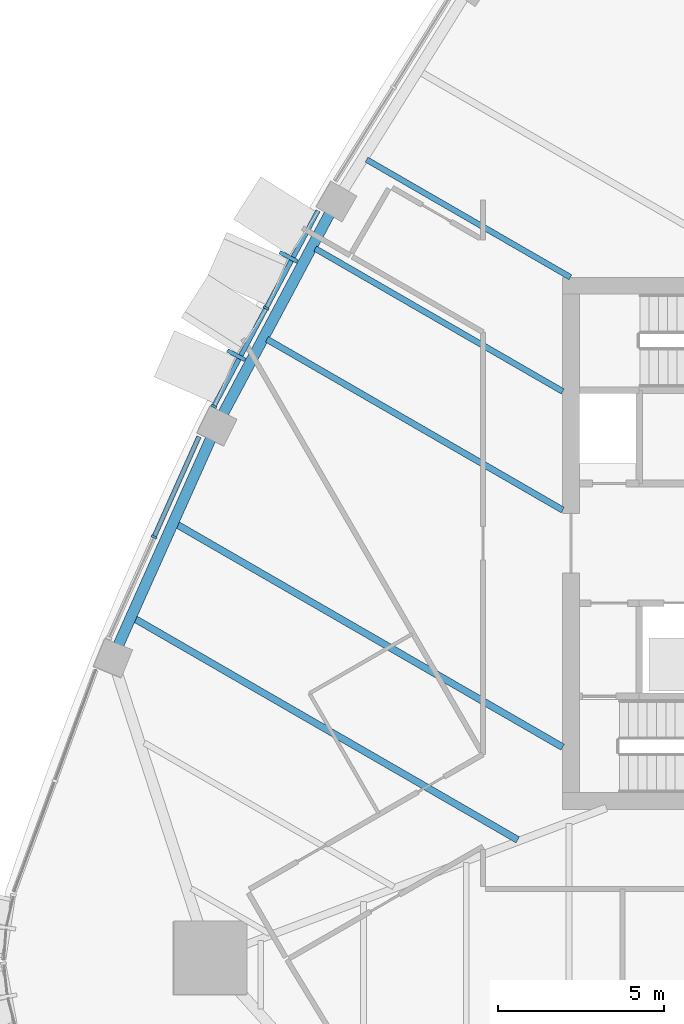
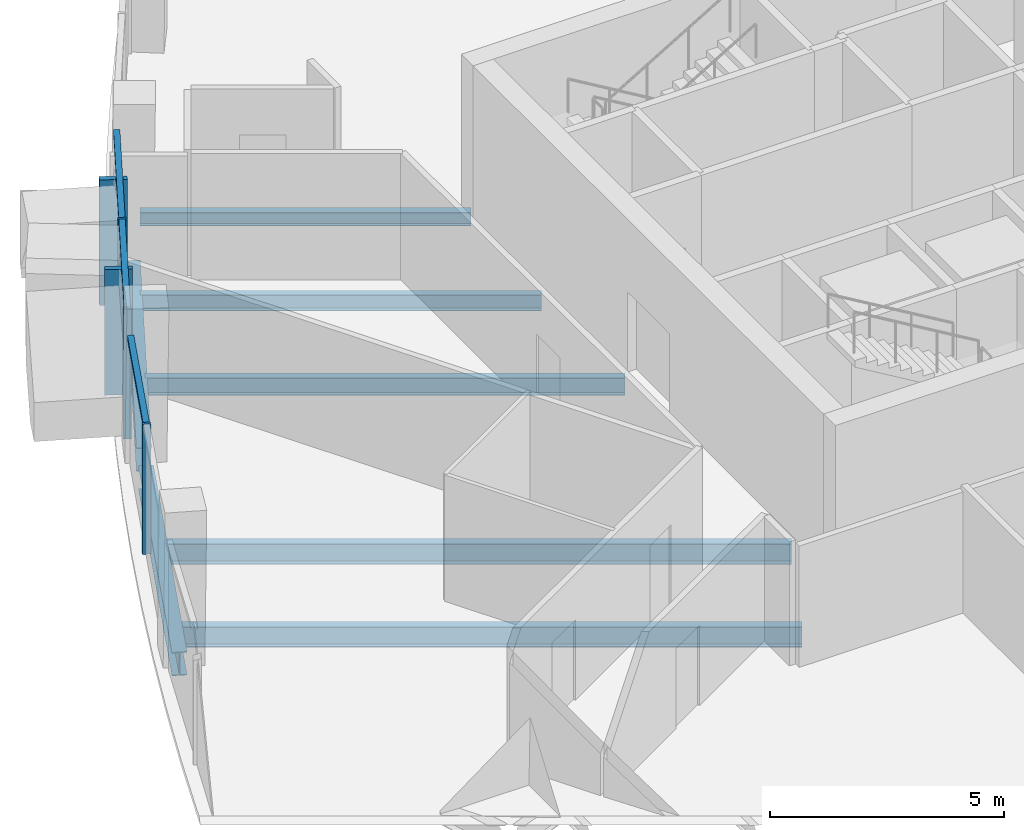
# One storey, part 3 of 18: 8 members, 7 beams, 2 elements without a shape of their own.
"""IFC4 building model written with IfcOpenShell, lengths in metres."""

from ifc_helpers import new_model, si_unit, direction, frame, origin, origin_2d, place, context, subcontext, project, spatial, rectangle, i_section, extrude, material, layer, layer_set, material_profile, profile_set, type_object, element, aggregate, save


model = new_model("IFC4")

# Units and contexts
model_context = context("Model", 3, precision=1e-05, world=origin(), true_north=direction((0.0, 1.0)))
body_context = subcontext(model_context, "Body", "Model", "MODEL_VIEW")
ifc_project = project(units=[si_unit("LENGTHUNIT", "METRE"), si_unit("AREAUNIT", "SQUARE_METRE"), si_unit("VOLUMEUNIT", "CUBIC_METRE"), si_unit("PLANEANGLEUNIT", "RADIAN"), si_unit("MASSUNIT", "GRAM", prefix="KILO")], contexts=[model_context])

# Site, building, storey
site_placement = place(None, origin())
site = spatial("IfcSite", under=ifc_project, at=site_placement, CompositionType="ELEMENT")
building_placement = place(site_placement, origin())
building = spatial("IfcBuilding", under=site, at=building_placement, Name="Sierra Prisma Convention Tower", CompositionType="ELEMENT")
storey_placement = place(building_placement, frame((0.0, 0.0, 255.0)))
storey = spatial("IfcBuildingStorey", under=building, at=storey_placement, Name="L57", CompositionType="ELEMENT", Elevation=255.0)

# Curtain wall, members
ifc_material_1 = material(Name="Aluminium and glass curtain wall", Category="aluminium")
ifc_layer_1 = layer(ifc_material_1, 0.179931640625)
ifc_layer_set_1 = layer_set([ifc_layer_1], Name="CW-2 Faceted crystal curtain wall")
curtain_wall_type_1 = type_object("IfcCurtainWallType", Name="CW-2 Faceted crystal curtain wall", PredefinedType="NOTDEFINED", material=ifc_layer_set_1)
curtain_wall_1_placement = place(storey_placement, origin())
curtain_wall_1 = element("IfcCurtainWall", 1, at=curtain_wall_1_placement, inside=storey, type_object=curtain_wall_type_1, Name="CW-2 NW4 L57", PredefinedType="NOTDEFINED")
ifc_material_2 = material(Name="Aluminium 6063-T6 bronze anodised", Category="aluminium")
ifc_material_profile_1 = material_profile(ifc_material_2, rectangle(XDim=0.1201171875, YDim=0.60009765625, at=origin_2d()), Name="ALU RIDGE BLADE 120x600")
ifc_profile_set_1 = profile_set([ifc_material_profile_1], Name="Aluminium 6063-T6 bronze anodised")
member_type_1 = type_object("IfcMemberType", Name="CW hip bronze", PredefinedType="MULLION", material=ifc_profile_set_1)
member_1_placement = place(storey_placement, frame((-19.245361328125, 8.613525390625, 0.0), z_axis=(0.0, 0.0, 1.0), x_axis=(-0.470083287471, -0.882622061156, 0.0)))
member_1 = element("IfcMember", 2, at=member_1_placement, type_object=member_type_1, Name="CW-2 ridge NW4.1", PredefinedType="MULLION", context=body_context, shape_type="SweptSolid", body=[
    extrude(rectangle(XDim=0.1201171875, YDim=0.60009765625, at=origin_2d()), origin(), (0.0, 0.0, 1.0), 3.280029296875),
])
member_2_placement = place(storey_placement, frame((-20.820068359375, 5.656982421875, 0.0), z_axis=(0.0, 0.0, 1.0), x_axis=(-0.470083287471, -0.882622061156, 0.0)))
member_2 = element("IfcMember", 3, at=member_2_placement, type_object=member_type_1, Name="CW-2 ridge NW4.2", PredefinedType="MULLION", context=body_context, shape_type="SweptSolid", body=[
    extrude(rectangle(XDim=0.1201171875, YDim=0.60009765625, at=origin_2d()), origin(), (0.0, 0.0, 1.0), 3.280029296875),
])
ifc_material_3 = material(Name="Aluminium 6063-T6 bronze anodised", Category="aluminium")
ifc_material_profile_2 = material_profile(ifc_material_3, rectangle(XDim=0.179931640625, YDim=0.070068359375, at=origin_2d()), Name="ALU MULLION 70x180")
ifc_profile_set_2 = profile_set([ifc_material_profile_2], Name="Aluminium 6063-T6 bronze anodised")
member_type_2 = type_object("IfcMemberType", Name="CW mullion bronze", PredefinedType="MULLION", material=ifc_profile_set_2)
member_3_placement = place(storey_placement, frame((-19.918701171875, 7.07470703125, 0.0), z_axis=(0.0, 0.0, 1.0), x_axis=(0.882622061156, -0.470083287471, 0.0)))
member_3 = element("IfcMember", 4, at=member_3_placement, type_object=member_type_2, Name="CW-1 mullion NW4.2", PredefinedType="MULLION", context=body_context, shape_type="SweptSolid", body=[
    extrude(rectangle(XDim=0.179931640625, YDim=0.070068359375, at=origin_2d()), origin(), (0.0, 0.0, 1.0), 3.39990234375),
])
member_4_placement = place(storey_placement, frame((-21.493408203125, 4.117919921875, 0.0), z_axis=(0.0, 0.0, 1.0), x_axis=(0.882622061156, -0.470083287471, 0.0)))
member_4 = element("IfcMember", 5, at=member_4_placement, type_object=member_type_2, Name="CW-1 mullion NW4.3", PredefinedType="MULLION", context=body_context, shape_type="SweptSolid", body=[
    extrude(rectangle(XDim=0.179931640625, YDim=0.070068359375, at=origin_2d()), origin(), (0.0, 0.0, 1.0), 3.39990234375),
])

# Curtain wall, member
ifc_material_4 = material(Name="Aluminium and glass curtain wall", Category="aluminium")
ifc_layer_2 = layer(ifc_material_4, 0.179931640625)
ifc_layer_set_2 = layer_set([ifc_layer_2], Name="CW-1 Plain shaft curtain wall")
curtain_wall_type_2 = type_object("IfcCurtainWallType", Name="CW-1 Plain shaft curtain wall", PredefinedType="NOTDEFINED", material=ifc_layer_set_2)
curtain_wall_2_placement = place(storey_placement, origin())
curtain_wall_2 = element("IfcCurtainWall", 6, at=curtain_wall_2_placement, inside=storey, type_object=curtain_wall_type_2, Name="CW-1 NW5 L57", PredefinedType="NOTDEFINED")
member_5_placement = place(storey_placement, frame((-23.28759765625, 0.193603515625, 0.0), z_axis=(0.0, 0.0, 1.0), x_axis=(0.912697941284, -0.408634883454, 0.0)))
member_5 = element("IfcMember", 7, at=member_5_placement, type_object=member_type_2, Name="CW-1 mullion NW5.2", PredefinedType="MULLION", context=body_context, shape_type="SweptSolid", body=[
    extrude(rectangle(XDim=0.179931640625, YDim=0.070068359375, at=origin_2d()), origin(), (0.0, 0.0, 1.0), 3.39990234375),
])

# Member
ifc_material_5 = material(Name="Aluminium 6063-T6 bronze anodised", Category="aluminium")
ifc_material_profile_3 = material_profile(ifc_material_5, rectangle(XDim=0.139892578125, YDim=0.1201171875, at=origin_2d()), Name="ALU TRANSOM 120x140")
ifc_profile_set_3 = profile_set([ifc_material_profile_3], Name="Aluminium 6063-T6 bronze anodised")
member_type_3 = type_object("IfcMemberType", Name="CW transom bronze", PredefinedType="USERDEFINED", material=ifc_profile_set_3)
member_6_placement = place(storey_placement, frame((-18.3603515625, 10.000244140625, 3.340087890625), z_axis=(-0.470140011078, -0.882591847902, 0.0), x_axis=(0.882591847902, -0.470140011078, 0.0)))
member_6 = element("IfcMember", 8, at=member_6_placement, type_object=member_type_3, Name="CW-1 transom NW4.1", ObjectType="TRANSOM", PredefinedType="USERDEFINED", context=body_context, shape_type="SweptSolid", body=[
    extrude(rectangle(XDim=0.139892578125, YDim=0.1201171875, at=origin_2d()), origin(), (0.0, 0.0, 1.0), 3.27978515625),
])

member_7_placement = place(storey_placement, frame((-19.93505859375, 7.043701171875, 3.340087890625), z_axis=(-0.470140011078, -0.882591847902, 0.0), x_axis=(0.882591847902, -0.470140011078, 0.0)))
member_7 = element("IfcMember", 9, at=member_7_placement, type_object=member_type_3, Name="CW-1 transom NW4.2", ObjectType="TRANSOM", PredefinedType="USERDEFINED", context=body_context, shape_type="SweptSolid", body=[
    extrude(rectangle(XDim=0.139892578125, YDim=0.1201171875, at=origin_2d()), origin(), (0.0, 0.0, 1.0), 3.27978515625),
])

aggregate(curtain_wall_1, [member_3, member_4, member_6, member_1, member_7, member_2])

member_8_placement = place(storey_placement, frame((-21.939697265625, 3.20458984375, 3.340087890625), z_axis=(-0.408628466508, -0.912700814265, 0.0), x_axis=(0.912700814265, -0.408628466508, 0.0)))
member_8 = element("IfcMember", 10, at=member_8_placement, type_object=member_type_3, Name="CW-1 transom NW5.1", ObjectType="TRANSOM", PredefinedType="USERDEFINED", context=body_context, shape_type="SweptSolid", body=[
    extrude(rectangle(XDim=0.139892578125, YDim=0.1201171875, at=origin_2d()), origin(), (0.0, 0.0, 1.0), 3.263916015625),
])

aggregate(curtain_wall_2, [member_5, member_8])

# Beams
ifc_material_6 = material(Name="Steel ASTM A992 Gr 50", Category="steel")
ifc_material_profile_4 = material_profile(ifc_material_6, i_section(OverallWidth=0.172119140625, OverallDepth=0.35791015625, WebThickness=0.0078125, FlangeThickness=0.01318359375, at=origin_2d()), Name="W360x57")
ifc_profile_set_4 = profile_set([ifc_material_profile_4], Name="Steel ASTM A992 Gr 50")
beam_type_1 = type_object("IfcBeamType", Name="Floor joist W360x57", PredefinedType="JOIST", material=ifc_profile_set_4)
beam_1_placement = place(storey_placement, frame((-16.8974609375, 11.5390625, -0.3291015625), z_axis=(0.866035677566, -0.499982204867, 0.0), x_axis=(0.499982204867, 0.866035677566, 0.0)))
element("IfcBeam", 11, at=beam_1_placement, inside=storey, type_object=beam_type_1, Name="Floor joist L57 NW07", PredefinedType="JOIST", context=body_context, shape_type="SweptSolid", body=[
    extrude(i_section(OverallWidth=0.172119140625, OverallDepth=0.35791015625, WebThickness=0.0078125, FlangeThickness=0.01318359375, at=origin_2d()), origin(), (0.0, 0.0, 1.0), 7.078369140625),
])
ifc_material_7 = material(Name="Steel ASTM A992 Gr 50", Category="steel")
ifc_material_profile_5 = material_profile(ifc_material_7, i_section(OverallWidth=0.177978515625, OverallDepth=0.406982421875, WebThickness=0.0078125, FlangeThickness=0.0126953125, at=origin_2d()), Name="W410x60")
ifc_profile_set_5 = profile_set([ifc_material_profile_5], Name="Steel ASTM A992 Gr 50")
beam_type_2 = type_object("IfcBeamType", Name="Floor joist W410x60", PredefinedType="JOIST", material=ifc_profile_set_5)
beam_2_placement = place(storey_placement, frame((-18.44189453125, 8.864013671875, -0.353515625), z_axis=(0.866022831428, -0.500004455426, 0.0), x_axis=(0.500004455426, 0.866022831428, 0.0)))
element("IfcBeam", 12, at=beam_2_placement, inside=storey, type_object=beam_type_2, Name="Floor joist L57 NW08", PredefinedType="JOIST", context=body_context, shape_type="SweptSolid", body=[
    extrude(i_section(OverallWidth=0.177978515625, OverallDepth=0.406982421875, WebThickness=0.0078125, FlangeThickness=0.0126953125, at=origin_2d()), origin(), (0.0, 0.0, 1.0), 8.59326171875),
])
ifc_material_8 = material(Name="Steel ASTM A992 Gr 50", Category="steel")
ifc_material_profile_6 = material_profile(ifc_material_8, i_section(OverallWidth=0.18994140625, OverallDepth=0.45703125, WebThickness=0.009033203125, FlangeThickness=0.014404296875, at=origin_2d()), Name="W460x74")
ifc_profile_set_6 = profile_set([ifc_material_profile_6], Name="Steel ASTM A992 Gr 50")
beam_type_3 = type_object("IfcBeamType", Name="Floor joist W460x74", PredefinedType="JOIST", material=ifc_profile_set_6)
beam_3_placement = place(storey_placement, frame((-19.894775390625, 6.135986328125, -0.37841796875), z_axis=(0.866021310892, -0.50000708903, 0.0), x_axis=(0.50000708903, 0.866021310892, 0.0)))
element("IfcBeam", 13, at=beam_3_placement, inside=storey, type_object=beam_type_3, Name="Floor joist L57 NW09", PredefinedType="JOIST", context=body_context, shape_type="SweptSolid", body=[
    extrude(i_section(OverallWidth=0.18994140625, OverallDepth=0.45703125, WebThickness=0.009033203125, FlangeThickness=0.014404296875, at=origin_2d()), origin(), (0.0, 0.0, 1.0), 10.270751953125),
])
ifc_material_9 = material(Name="Steel ASTM A992 Gr 50", Category="steel")
ifc_material_profile_7 = material_profile(ifc_material_9, i_section(OverallWidth=0.208984375, OverallDepth=0.532958984375, WebThickness=0.01025390625, FlangeThickness=0.015625, at=origin_2d()), Name="W530x92")
ifc_profile_set_7 = profile_set([ifc_material_profile_7], Name="Steel ASTM A992 Gr 50")
beam_type_4 = type_object("IfcBeamType", Name="Floor joist W530x92", PredefinedType="JOIST", material=ifc_profile_set_7)
beam_4_placement = place(storey_placement, frame((-22.612060546875, 0.57080078125, -0.41650390625), z_axis=(0.866029431487, -0.49999302375, 0.0), x_axis=(0.49999302375, 0.866029431487, 0.0)))
element("IfcBeam", 14, at=beam_4_placement, inside=storey, type_object=beam_type_4, Name="Floor joist L57 NW11", PredefinedType="JOIST", context=body_context, shape_type="SweptSolid", body=[
    extrude(i_section(OverallWidth=0.208984375, OverallDepth=0.532958984375, WebThickness=0.01025390625, FlangeThickness=0.015625, at=origin_2d()), origin(), (0.0, 0.0, 1.0), 13.408447265625),
])
beam_5_placement = place(storey_placement, frame((-23.880859375, -2.263427734375, -0.41650390625), z_axis=(0.866020043079, -0.5000092849, 0.0), x_axis=(0.5000092849, 0.866020043079, 0.0)))
element("IfcBeam", 15, at=beam_5_placement, inside=storey, type_object=beam_type_4, Name="Floor joist L57 NW12", PredefinedType="JOIST", context=body_context, shape_type="SweptSolid", body=[
    extrude(i_section(OverallWidth=0.208984375, OverallDepth=0.532958984375, WebThickness=0.01025390625, FlangeThickness=0.015625, at=origin_2d()), origin(), (0.0, 0.0, 1.0), 13.311279296875),
])
ifc_material_10 = material(Name="Steel ASTM A992 Gr 50", Category="steel")
ifc_material_profile_8 = material_profile(ifc_material_10, i_section(OverallWidth=0.324951171875, OverallDepth=0.615966796875, WebThickness=0.013916015625, FlangeThickness=0.021484375, at=origin_2d()), Name="W610x174")
ifc_profile_set_8 = profile_set([ifc_material_profile_8], Name="Steel ASTM A992 Gr 50")
beam_type_5 = type_object("IfcBeamType", Name="Spandrel beam W610x174", PredefinedType="BEAM", material=ifc_profile_set_8)
beam_6_placement = place(storey_placement, frame((-17.96826171875, 9.992919921875, -0.4580078125), z_axis=(-0.470064811603, -0.88263190113, 0.0), x_axis=(0.88263190113, -0.470064811603, 0.0)))
element("IfcBeam", 16, at=beam_6_placement, inside=storey, type_object=beam_type_5, Name="Spandrel L57-16", PredefinedType="BEAM", context=body_context, shape_type="SweptSolid", body=[
    extrude(i_section(OverallWidth=0.324951171875, OverallDepth=0.615966796875, WebThickness=0.013916015625, FlangeThickness=0.021484375, at=origin_2d()), origin(), (0.0, 0.0, 1.0), 6.99755859375),
])
beam_7_placement = place(storey_placement, frame((-21.5478515625, 3.223876953125, -0.4580078125), z_axis=(-0.408607040504, -0.912710406674, 0.0), x_axis=(0.912710406674, -0.408607040504, 0.0)))
element("IfcBeam", 17, at=beam_7_placement, inside=storey, type_object=beam_type_5, Name="Spandrel L57-17", PredefinedType="BEAM", context=body_context, shape_type="SweptSolid", body=[
    extrude(i_section(OverallWidth=0.324951171875, OverallDepth=0.615966796875, WebThickness=0.013916015625, FlangeThickness=0.021484375, at=origin_2d()), origin(), (0.0, 0.0, 1.0), 6.997314453125),
])

save(model, "model.ifc")
